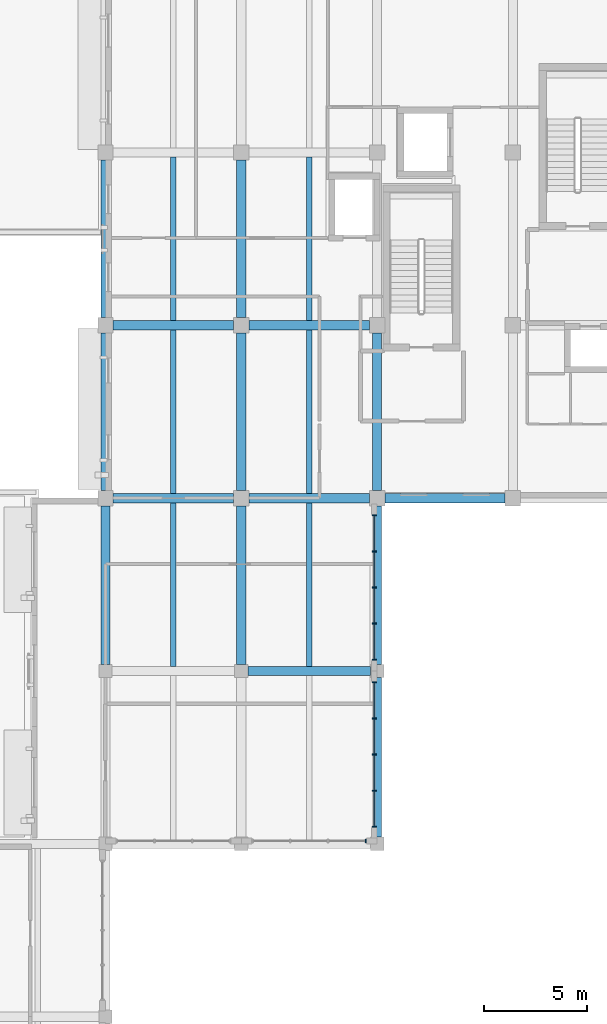
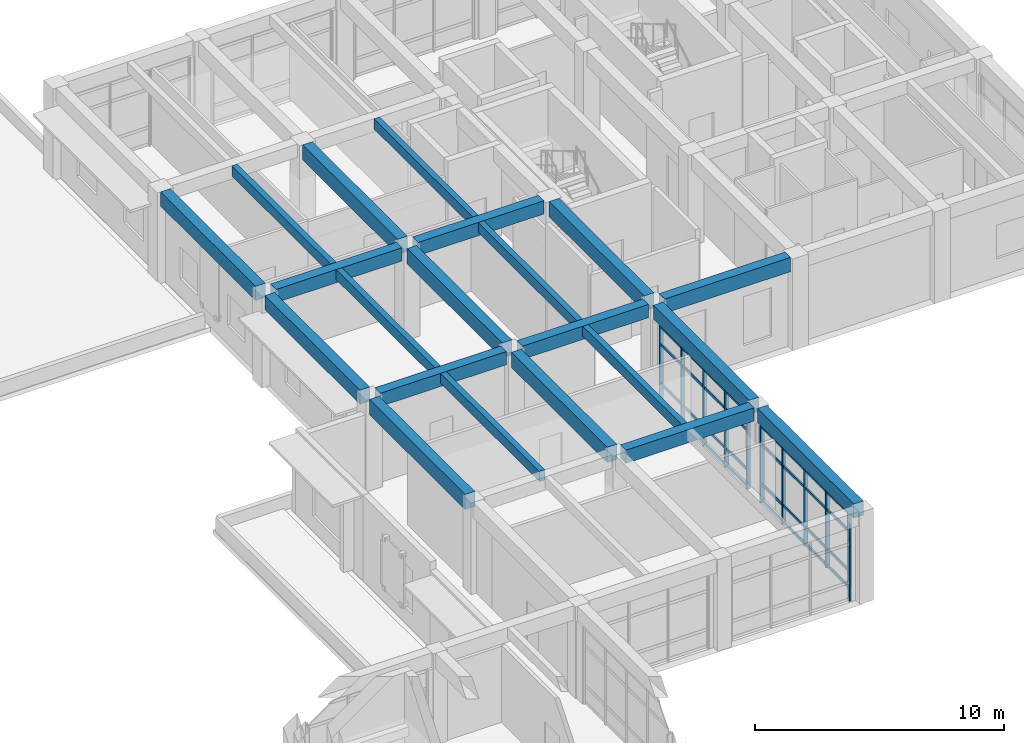
# One storey, part 15 of 50: 21 beams, 19 members, 3 elements without a shape of their own.
"""IFC4 building model written with IfcOpenShell, lengths in metres."""

from ifc_helpers import new_model, si_unit, direction, frame, origin, origin_2d, place, context, subcontext, project, spatial, rectangle, extrude, material, layer, layer_set, material_profile, profile_set, type_object, element, aggregate, save


model = new_model("IFC4")

# Units and contexts
model_context = context("Model", 3, precision=1e-05, world=origin(), true_north=direction((0.0, 1.0)))
body_context = subcontext(model_context, "Body", "Model", "MODEL_VIEW")
ifc_project = project(units=[si_unit("LENGTHUNIT", "METRE"), si_unit("AREAUNIT", "SQUARE_METRE"), si_unit("VOLUMEUNIT", "CUBIC_METRE"), si_unit("PLANEANGLEUNIT", "RADIAN"), si_unit("MASSUNIT", "GRAM", prefix="KILO")], contexts=[model_context])

# Site, building, storey
site_placement = place(None, origin())
site = spatial("IfcSite", under=ifc_project, at=site_placement, CompositionType="ELEMENT")
building_placement = place(site_placement, origin())
building = spatial("IfcBuilding", under=site, at=building_placement, Name="Kolvaren Faculty of Natural Sciences", CompositionType="ELEMENT")
storey_placement = place(building_placement, frame((0.0, 0.0, 15.0)))
storey = spatial("IfcBuildingStorey", under=building, at=storey_placement, Name="L03", CompositionType="ELEMENT", Elevation=15.0)

# Curtain wall, members
ifc_material_1 = material(Name="Thermally broken anodised aluminium framing", Category="aluminium")
ifc_layer_1 = layer(ifc_material_1, 0.179931640625)
ifc_layer_set_1 = layer_set([ifc_layer_1], Name="Thermally broken anodised aluminium framing")
curtain_wall_type_1 = type_object("IfcCurtainWallType", Name="TowerNorthCurtainWall_CW03", PredefinedType="NOTDEFINED", material=ifc_layer_set_1)
curtain_wall_1_placement = place(storey_placement, origin())
curtain_wall_1 = element("IfcCurtainWall", 1, at=curtain_wall_1_placement, inside=storey, type_object=curtain_wall_type_1, Name="L03 unitised curtain wall CW-03 (CW-L03-149)", PredefinedType="NOTDEFINED")
ifc_material_profile_1 = material_profile(ifc_material_1, rectangle(XDim=0.06005859375, YDim=0.179931640625, at=origin_2d()), Name="ALU MUL 60x180")
ifc_profile_set_1 = profile_set([ifc_material_profile_1], Name="Thermally broken anodised aluminium framing")
member_type_1 = type_object("IfcMemberType", Name="CurtainMullion_60x180", PredefinedType="MULLION", material=ifc_profile_set_1)
member_1_placement = place(storey_placement, frame((151.860107421875, 58.169921875, 0.0), z_axis=(0.0, 0.0, 1.0), x_axis=(0.0, -1.0, 0.0)))
member_1 = element("IfcMember", 2, at=member_1_placement, type_object=member_type_1, Name="CW-L03-149 vertical mullion 1", PredefinedType="MULLION", context=body_context, shape_type="SweptSolid", body=[
    extrude(rectangle(XDim=0.06005859375, YDim=0.179931640625, at=origin_2d()), origin(), (0.0, 0.0, 1.0), 3.784912109375),
])
member_2_placement = place(storey_placement, frame((151.860107421875, 56.4150390625, 0.0), z_axis=(0.0, 0.0, 1.0), x_axis=(0.0, -1.0, 0.0)))
member_2 = element("IfcMember", 3, at=member_2_placement, type_object=member_type_1, Name="CW-L03-149 vertical mullion 2", PredefinedType="MULLION", context=body_context, shape_type="SweptSolid", body=[
    extrude(rectangle(XDim=0.06005859375, YDim=0.179931640625, at=origin_2d()), origin(), (0.0, 0.0, 1.0), 3.784912109375),
])
member_3_placement = place(storey_placement, frame((151.860107421875, 54.659912109375, 0.0), z_axis=(0.0, 0.0, 1.0), x_axis=(0.0, -1.0, 0.0)))
member_3 = element("IfcMember", 4, at=member_3_placement, type_object=member_type_1, Name="CW-L03-149 vertical mullion 3", PredefinedType="MULLION", context=body_context, shape_type="SweptSolid", body=[
    extrude(rectangle(XDim=0.06005859375, YDim=0.179931640625, at=origin_2d()), origin(), (0.0, 0.0, 1.0), 3.784912109375),
])
member_4_placement = place(storey_placement, frame((151.860107421875, 52.905029296875, 0.0), z_axis=(0.0, 0.0, 1.0), x_axis=(0.0, -1.0, 0.0)))
member_4 = element("IfcMember", 5, at=member_4_placement, type_object=member_type_1, Name="CW-L03-149 vertical mullion 4", PredefinedType="MULLION", context=body_context, shape_type="SweptSolid", body=[
    extrude(rectangle(XDim=0.06005859375, YDim=0.179931640625, at=origin_2d()), origin(), (0.0, 0.0, 1.0), 3.784912109375),
])
member_5_placement = place(storey_placement, frame((151.860107421875, 51.14990234375, 0.0), z_axis=(0.0, 0.0, 1.0), x_axis=(0.0, -1.0, 0.0)))
member_5 = element("IfcMember", 6, at=member_5_placement, type_object=member_type_1, Name="CW-L03-149 vertical mullion 5", PredefinedType="MULLION", context=body_context, shape_type="SweptSolid", body=[
    extrude(rectangle(XDim=0.06005859375, YDim=0.179931640625, at=origin_2d()), origin(), (0.0, 0.0, 1.0), 3.784912109375),
])

curtain_wall_2_placement = place(storey_placement, origin())
curtain_wall_2 = element("IfcCurtainWall", 7, at=curtain_wall_2_placement, inside=storey, type_object=curtain_wall_type_1, Name="L03 unitised curtain wall CW-03 (CW-L03-150)", PredefinedType="NOTDEFINED")
member_6_placement = place(storey_placement, frame((151.860107421875, 50.050048828125, 0.0), z_axis=(0.0, 0.0, 1.0), x_axis=(0.0, -1.0, 0.0)))
member_6 = element("IfcMember", 8, at=member_6_placement, type_object=member_type_1, Name="CW-L03-150 vertical mullion 1", PredefinedType="MULLION", context=body_context, shape_type="SweptSolid", body=[
    extrude(rectangle(XDim=0.06005859375, YDim=0.179931640625, at=origin_2d()), origin(), (0.0, 0.0, 1.0), 3.784912109375),
])
member_7_placement = place(storey_placement, frame((151.860107421875, 48.294921875, 0.0), z_axis=(0.0, 0.0, 1.0), x_axis=(0.0, -1.0, 0.0)))
member_7 = element("IfcMember", 9, at=member_7_placement, type_object=member_type_1, Name="CW-L03-150 vertical mullion 2", PredefinedType="MULLION", context=body_context, shape_type="SweptSolid", body=[
    extrude(rectangle(XDim=0.06005859375, YDim=0.179931640625, at=origin_2d()), origin(), (0.0, 0.0, 1.0), 3.784912109375),
])
member_8_placement = place(storey_placement, frame((151.860107421875, 46.5400390625, 0.0), z_axis=(0.0, 0.0, 1.0), x_axis=(0.0, -1.0, 0.0)))
member_8 = element("IfcMember", 10, at=member_8_placement, type_object=member_type_1, Name="CW-L03-150 vertical mullion 3", PredefinedType="MULLION", context=body_context, shape_type="SweptSolid", body=[
    extrude(rectangle(XDim=0.06005859375, YDim=0.179931640625, at=origin_2d()), origin(), (0.0, 0.0, 1.0), 3.784912109375),
])
member_9_placement = place(storey_placement, frame((151.860107421875, 44.784912109375, 0.0), z_axis=(0.0, 0.0, 1.0), x_axis=(0.0, -1.0, 0.0)))
member_9 = element("IfcMember", 11, at=member_9_placement, type_object=member_type_1, Name="CW-L03-150 vertical mullion 4", PredefinedType="MULLION", context=body_context, shape_type="SweptSolid", body=[
    extrude(rectangle(XDim=0.06005859375, YDim=0.179931640625, at=origin_2d()), origin(), (0.0, 0.0, 1.0), 3.784912109375),
])
member_10_placement = place(storey_placement, frame((151.860107421875, 43.030029296875, 0.0), z_axis=(0.0, 0.0, 1.0), x_axis=(0.0, -1.0, 0.0)))
member_10 = element("IfcMember", 12, at=member_10_placement, type_object=member_type_1, Name="CW-L03-150 vertical mullion 5", PredefinedType="MULLION", context=body_context, shape_type="SweptSolid", body=[
    extrude(rectangle(XDim=0.06005859375, YDim=0.179931640625, at=origin_2d()), origin(), (0.0, 0.0, 1.0), 3.784912109375),
])

# Curtain wall, member
ifc_layer_2 = layer(ifc_material_1, 0.179931640625)
ifc_layer_set_2 = layer_set([ifc_layer_2], Name="Thermally broken anodised aluminium framing")
curtain_wall_type_2 = type_object("IfcCurtainWallType", Name="CommonsCurtainWall_CW02", PredefinedType="NOTDEFINED", material=ifc_layer_set_2)
curtain_wall_3_placement = place(storey_placement, origin())
curtain_wall_3 = element("IfcCurtainWall", 13, at=curtain_wall_3_placement, inside=storey, type_object=curtain_wall_type_2, Name="L03 unitised curtain wall CW-02 (CW-L03-151)", PredefinedType="NOTDEFINED")
member_11_placement = place(storey_placement, frame((151.449951171875, 42.340087890625, 0.0), z_axis=(0.0, 0.0, 1.0), x_axis=(-1.0, 0.0, 0.0)))
member_11 = element("IfcMember", 14, at=member_11_placement, type_object=member_type_1, Name="CW-L03-151 vertical mullion 1", PredefinedType="MULLION", context=body_context, shape_type="SweptSolid", body=[
    extrude(rectangle(XDim=0.06005859375, YDim=0.179931640625, at=origin_2d()), origin(), (0.0, 0.0, 1.0), 3.735107421875),
])
aggregate(curtain_wall_3, [member_11])

# Member
ifc_material_profile_2 = material_profile(ifc_material_1, rectangle(XDim=0.06005859375, YDim=0.139892578125, at=origin_2d()), Name="ALU TRN 60x140")
ifc_profile_set_2 = profile_set([ifc_material_profile_2], Name="Thermally broken anodised aluminium framing")
member_type_2 = type_object("IfcMemberType", Name="CurtainTransom_60x140", PredefinedType="USERDEFINED", material=ifc_profile_set_2)
member_12_placement = place(storey_placement, frame((151.860107421875, 58.169921875, 0.080078125), z_axis=(0.0, -1.0, 0.0), x_axis=(1.0, 0.0, 0.0)))
member_12 = element("IfcMember", 15, at=member_12_placement, type_object=member_type_2, Name="CW-L03-149 horizontal transom 1", ObjectType="TRANSOM", PredefinedType="USERDEFINED", context=body_context, shape_type="SweptSolid", body=[
    extrude(rectangle(XDim=0.06005859375, YDim=0.139892578125, at=origin_2d()), origin(), (0.0, 0.0, 1.0), 7.02001953125),
])

member_13_placement = place(storey_placement, frame((151.860107421875, 58.169921875, 0.89990234375), z_axis=(0.0, -1.0, 0.0), x_axis=(1.0, 0.0, 0.0)))
member_13 = element("IfcMember", 16, at=member_13_placement, type_object=member_type_2, Name="CW-L03-149 horizontal transom 2", ObjectType="TRANSOM", PredefinedType="USERDEFINED", context=body_context, shape_type="SweptSolid", body=[
    extrude(rectangle(XDim=0.06005859375, YDim=0.139892578125, at=origin_2d()), origin(), (0.0, 0.0, 1.0), 7.02001953125),
])

member_14_placement = place(storey_placement, frame((151.860107421875, 58.169921875, 2.8349609375), z_axis=(0.0, -1.0, 0.0), x_axis=(1.0, 0.0, 0.0)))
member_14 = element("IfcMember", 17, at=member_14_placement, type_object=member_type_2, Name="CW-L03-149 horizontal transom 3", ObjectType="TRANSOM", PredefinedType="USERDEFINED", context=body_context, shape_type="SweptSolid", body=[
    extrude(rectangle(XDim=0.06005859375, YDim=0.139892578125, at=origin_2d()), origin(), (0.0, 0.0, 1.0), 7.02001953125),
])

member_15_placement = place(storey_placement, frame((151.860107421875, 58.169921875, 3.705078125), z_axis=(0.0, -1.0, 0.0), x_axis=(1.0, 0.0, 0.0)))
member_15 = element("IfcMember", 18, at=member_15_placement, type_object=member_type_2, Name="CW-L03-149 horizontal transom 4", ObjectType="TRANSOM", PredefinedType="USERDEFINED", context=body_context, shape_type="SweptSolid", body=[
    extrude(rectangle(XDim=0.06005859375, YDim=0.139892578125, at=origin_2d()), origin(), (0.0, 0.0, 1.0), 7.02001953125),
])

aggregate(curtain_wall_1, [member_1, member_2, member_3, member_4, member_5, member_12, member_13, member_14, member_15])

member_16_placement = place(storey_placement, frame((151.860107421875, 50.050048828125, 0.080078125), z_axis=(0.0, -1.0, 0.0), x_axis=(1.0, 0.0, 0.0)))
member_16 = element("IfcMember", 19, at=member_16_placement, type_object=member_type_2, Name="CW-L03-150 horizontal transom 1", ObjectType="TRANSOM", PredefinedType="USERDEFINED", context=body_context, shape_type="SweptSolid", body=[
    extrude(rectangle(XDim=0.06005859375, YDim=0.139892578125, at=origin_2d()), origin(), (0.0, 0.0, 1.0), 7.02001953125),
])

member_17_placement = place(storey_placement, frame((151.860107421875, 50.050048828125, 0.89990234375), z_axis=(0.0, -1.0, 0.0), x_axis=(1.0, 0.0, 0.0)))
member_17 = element("IfcMember", 20, at=member_17_placement, type_object=member_type_2, Name="CW-L03-150 horizontal transom 2", ObjectType="TRANSOM", PredefinedType="USERDEFINED", context=body_context, shape_type="SweptSolid", body=[
    extrude(rectangle(XDim=0.06005859375, YDim=0.139892578125, at=origin_2d()), origin(), (0.0, 0.0, 1.0), 7.02001953125),
])

member_18_placement = place(storey_placement, frame((151.860107421875, 50.050048828125, 2.8349609375), z_axis=(0.0, -1.0, 0.0), x_axis=(1.0, 0.0, 0.0)))
member_18 = element("IfcMember", 21, at=member_18_placement, type_object=member_type_2, Name="CW-L03-150 horizontal transom 3", ObjectType="TRANSOM", PredefinedType="USERDEFINED", context=body_context, shape_type="SweptSolid", body=[
    extrude(rectangle(XDim=0.06005859375, YDim=0.139892578125, at=origin_2d()), origin(), (0.0, 0.0, 1.0), 7.02001953125),
])

member_19_placement = place(storey_placement, frame((151.860107421875, 50.050048828125, 3.705078125), z_axis=(0.0, -1.0, 0.0), x_axis=(1.0, 0.0, 0.0)))
member_19 = element("IfcMember", 22, at=member_19_placement, type_object=member_type_2, Name="CW-L03-150 horizontal transom 4", ObjectType="TRANSOM", PredefinedType="USERDEFINED", context=body_context, shape_type="SweptSolid", body=[
    extrude(rectangle(XDim=0.06005859375, YDim=0.139892578125, at=origin_2d()), origin(), (0.0, 0.0, 1.0), 7.02001953125),
])

aggregate(curtain_wall_2, [member_6, member_7, member_8, member_9, member_10, member_16, member_17, member_18, member_19])

# Beams
ifc_material_2 = material(Name="Concrete C35/45", Category="concrete")
ifc_material_profile_3 = material_profile(ifc_material_2, rectangle(XDim=0.449951171875, YDim=0.64990234375, at=origin_2d()), Name="RC BM 450x650")
ifc_profile_set_3 = profile_set([ifc_material_profile_3], Name="Concrete C35/45")
beam_type_1 = type_object("IfcBeamType", Name="GridBeam_450x650", PredefinedType="BEAM", material=ifc_profile_set_3)
beam_1_placement = place(storey_placement, frame((145.72509765625, 50.60009765625, 4.175048828125), z_axis=(1.0, 0.0, 0.0), x_axis=(0.0, 1.0, 0.0)))
element("IfcBeam", 23, at=beam_1_placement, inside=storey, type_object=beam_type_1, Name="L03 beam BM-65 on grid G", PredefinedType="BEAM", context=body_context, shape_type="SweptSolid", body=[
    extrude(rectangle(XDim=0.449951171875, YDim=0.64990234375, at=origin_2d()), origin(), (0.0, 0.0, 1.0), 5.949951171875),
])
beam_2_placement = place(storey_placement, frame((139.175048828125, 59.0, 4.175048828125), z_axis=(1.0, 0.0, 0.0), x_axis=(0.0, 1.0, 0.0)))
element("IfcBeam", 24, at=beam_2_placement, inside=storey, type_object=beam_type_1, Name="L03 beam BM-65 on grid H", PredefinedType="BEAM", context=body_context, shape_type="SweptSolid", body=[
    extrude(rectangle(XDim=0.449951171875, YDim=0.64990234375, at=origin_2d()), origin(), (0.0, 0.0, 1.0), 5.849853515625),
])
beam_3_placement = place(storey_placement, frame((145.77490234375, 59.0, 4.175048828125), z_axis=(1.0, 0.0, 0.0), x_axis=(0.0, 1.0, 0.0)))
element("IfcBeam", 25, at=beam_3_placement, inside=storey, type_object=beam_type_1, Name="L03 beam BM-65 on grid H", PredefinedType="BEAM", context=body_context, shape_type="SweptSolid", body=[
    extrude(rectangle(XDim=0.449951171875, YDim=0.64990234375, at=origin_2d()), origin(), (0.0, 0.0, 1.0), 5.85009765625),
])
beam_4_placement = place(storey_placement, frame((139.175048828125, 67.39990234375, 4.175048828125), z_axis=(1.0, 0.0, 0.0), x_axis=(0.0, 1.0, 0.0)))
element("IfcBeam", 26, at=beam_4_placement, inside=storey, type_object=beam_type_1, Name="L03 beam BM-65 on grid J", PredefinedType="BEAM", context=body_context, shape_type="SweptSolid", body=[
    extrude(rectangle(XDim=0.449951171875, YDim=0.64990234375, at=origin_2d()), origin(), (0.0, 0.0, 1.0), 5.849853515625),
])
beam_5_placement = place(storey_placement, frame((145.77490234375, 67.39990234375, 4.175048828125), z_axis=(1.0, 0.0, 0.0), x_axis=(0.0, 1.0, 0.0)))
element("IfcBeam", 27, at=beam_5_placement, inside=storey, type_object=beam_type_1, Name="L03 beam BM-65 on grid J", PredefinedType="BEAM", context=body_context, shape_type="SweptSolid", body=[
    extrude(rectangle(XDim=0.449951171875, YDim=0.64990234375, at=origin_2d()), origin(), (0.0, 0.0, 1.0), 5.85009765625),
])
ifc_material_profile_4 = material_profile(ifc_material_2, rectangle(XDim=0.260009765625, YDim=0.5, at=origin_2d()), Name="RC JST 260x500")
ifc_profile_set_4 = profile_set([ifc_material_profile_4], Name="Concrete C35/45")
beam_type_2 = type_object("IfcBeamType", Name="LabRibJoist_260x500", PredefinedType="JOIST", material=ifc_profile_set_4)
for number, where, z_axis, x_axis, name in (
    (28, (142.10009765625, 50.824951171875, 4.25), (0.0, 1.0, 0.0), (-1.0, 0.0, 0.0), "L03 ribbed laboratory slab joist JS-50"),
    (29, (142.10009765625, 59.22509765625, 4.25), (0.0, 1.0, 0.0), (-1.0, 0.0, 0.0), "L03 ribbed laboratory slab joist JS-50"),
    (30, (142.10009765625, 67.625, 4.25), (0.0, 1.0, 0.0), (-1.0, 0.0, 0.0), "L03 ribbed laboratory slab joist JS-50"),
    (31, (148.699951171875, 50.824951171875, 4.25), (0.0, 1.0, 0.0), (-1.0, 0.0, 0.0), "L03 ribbed laboratory slab joist JS-50"),
    (32, (148.699951171875, 59.22509765625, 4.25), (0.0, 1.0, 0.0), (-1.0, 0.0, 0.0), "L03 ribbed laboratory slab joist JS-50"),
    (33, (148.699951171875, 67.625, 4.25), (0.0, 1.0, 0.0), (-1.0, 0.0, 0.0), "L03 ribbed laboratory slab joist JS-50"),
):
    element("IfcBeam", number, at=place(storey_placement, frame(where, z_axis=z_axis, x_axis=x_axis)), inside=storey, type_object=beam_type_2, Name=name, PredefinedType="JOIST", context=body_context, shape_type="SweptSolid", body=[
        extrude(rectangle(XDim=0.260009765625, YDim=0.5, at=origin_2d()), origin(), (0.0, 0.0, 1.0), 7.949951171875),
    ])
ifc_material_profile_5 = material_profile(ifc_material_2, rectangle(XDim=0.449951171875, YDim=0.699951171875, at=origin_2d()), Name="RC SP 450x700")
ifc_profile_set_5 = profile_set([ifc_material_profile_5], Name="Concrete C35/45")
beam_type_3 = type_object("IfcBeamType", Name="PerimeterSpandrel_450x700", PredefinedType="SPANDREL", material=ifc_profile_set_5)
beam_6_placement = place(storey_placement, frame((152.375, 59.0, 4.14990234375), z_axis=(1.0, 0.0, 0.0), x_axis=(0.0, 1.0, 0.0)))
element("IfcBeam", 34, at=beam_6_placement, inside=storey, type_object=beam_type_3, Name="L03 spandrel SP-70 on grid H", PredefinedType="SPANDREL", context=body_context, shape_type="SweptSolid", body=[
    extrude(rectangle(XDim=0.449951171875, YDim=0.699951171875, at=origin_2d()), origin(), (0.0, 0.0, 1.0), 5.85009765625),
])
beam_7_placement = place(storey_placement, frame((138.800048828125, 59.375, 4.14990234375), z_axis=(0.0, 1.0, 0.0), x_axis=(-1.0, 0.0, 0.0)))
element("IfcBeam", 35, at=beam_7_placement, inside=storey, type_object=beam_type_3, Name="L03 girder SP-70 on grid 22", PredefinedType="SPANDREL", context=body_context, shape_type="SweptSolid", body=[
    extrude(rectangle(XDim=0.449951171875, YDim=0.699951171875, at=origin_2d()), origin(), (0.0, 0.0, 1.0), 7.64990234375),
])
beam_8_placement = place(storey_placement, frame((138.800048828125, 67.77490234375, 4.14990234375), z_axis=(0.0, 1.0, 0.0), x_axis=(-1.0, 0.0, 0.0)))
element("IfcBeam", 36, at=beam_8_placement, inside=storey, type_object=beam_type_3, Name="L03 girder SP-70 on grid 22", PredefinedType="SPANDREL", context=body_context, shape_type="SweptSolid", body=[
    extrude(rectangle(XDim=0.449951171875, YDim=0.699951171875, at=origin_2d()), origin(), (0.0, 0.0, 1.0), 7.650146484375),
])
beam_9_placement = place(storey_placement, frame((152.0, 42.52490234375, 4.14990234375), z_axis=(0.0, 1.0, 0.0), x_axis=(-1.0, 0.0, 0.0)))
element("IfcBeam", 37, at=beam_9_placement, inside=storey, type_object=beam_type_3, Name="L03 girder SP-70 on grid 24", PredefinedType="SPANDREL", context=body_context, shape_type="SweptSolid", body=[
    extrude(rectangle(XDim=0.449951171875, YDim=0.699951171875, at=origin_2d()), origin(), (0.0, 0.0, 1.0), 7.75),
])
beam_10_placement = place(storey_placement, frame((152.0, 50.925048828125, 4.14990234375), z_axis=(0.0, 1.0, 0.0), x_axis=(-1.0, 0.0, 0.0)))
element("IfcBeam", 38, at=beam_10_placement, inside=storey, type_object=beam_type_3, Name="L03 girder SP-70 on grid 24", PredefinedType="SPANDREL", context=body_context, shape_type="SweptSolid", body=[
    extrude(rectangle(XDim=0.449951171875, YDim=0.699951171875, at=origin_2d()), origin(), (0.0, 0.0, 1.0), 7.699951171875),
])
ifc_material_profile_6 = material_profile(ifc_material_2, rectangle(XDim=0.449951171875, YDim=0.75, at=origin_2d()), Name="RC BM 450x750")
ifc_profile_set_6 = profile_set([ifc_material_profile_6], Name="Concrete C35/45")
beam_type_4 = type_object("IfcBeamType", Name="PrimaryGirder_450x750", PredefinedType="BEAM", material=ifc_profile_set_6)
for number, where, z_axis, x_axis, name in (
    (39, (138.800048828125, 50.925048828125, 4.125), (0.0, 1.0, 0.0), (-1.0, 0.0, 0.0), "L03 girder BG-75 on grid 22"),
    (40, (145.39990234375, 50.925048828125, 4.125), (0.0, 1.0, 0.0), (-1.0, 0.0, 0.0), "L03 girder BG-75 on grid 23"),
):
    element("IfcBeam", number, at=place(storey_placement, frame(where, z_axis=z_axis, x_axis=x_axis)), inside=storey, type_object=beam_type_4, Name=name, PredefinedType="BEAM", context=body_context, shape_type="SweptSolid", body=[
        extrude(rectangle(XDim=0.449951171875, YDim=0.75, at=origin_2d()), origin(), (0.0, 0.0, 1.0), 7.699951171875),
    ])
beam_11_placement = place(storey_placement, frame((145.39990234375, 59.375, 4.125), z_axis=(0.0, 1.0, 0.0), x_axis=(-1.0, 0.0, 0.0)))
element("IfcBeam", 41, at=beam_11_placement, inside=storey, type_object=beam_type_4, Name="L03 girder BG-75 on grid 23", PredefinedType="BEAM", context=body_context, shape_type="SweptSolid", body=[
    extrude(rectangle(XDim=0.449951171875, YDim=0.75, at=origin_2d()), origin(), (0.0, 0.0, 1.0), 7.64990234375),
])
beam_12_placement = place(storey_placement, frame((145.39990234375, 67.77490234375, 4.125), z_axis=(0.0, 1.0, 0.0), x_axis=(-1.0, 0.0, 0.0)))
element("IfcBeam", 42, at=beam_12_placement, inside=storey, type_object=beam_type_4, Name="L03 girder BG-75 on grid 23", PredefinedType="BEAM", context=body_context, shape_type="SweptSolid", body=[
    extrude(rectangle(XDim=0.449951171875, YDim=0.75, at=origin_2d()), origin(), (0.0, 0.0, 1.0), 7.650146484375),
])
beam_13_placement = place(storey_placement, frame((152.0, 59.375, 4.125), z_axis=(0.0, 1.0, 0.0), x_axis=(-1.0, 0.0, 0.0)))
element("IfcBeam", 43, at=beam_13_placement, inside=storey, type_object=beam_type_4, Name="L03 girder BG-75 on grid 24", PredefinedType="BEAM", context=body_context, shape_type="SweptSolid", body=[
    extrude(rectangle(XDim=0.449951171875, YDim=0.75, at=origin_2d()), origin(), (0.0, 0.0, 1.0), 7.64990234375),
])

save(model, "model.ifc")
